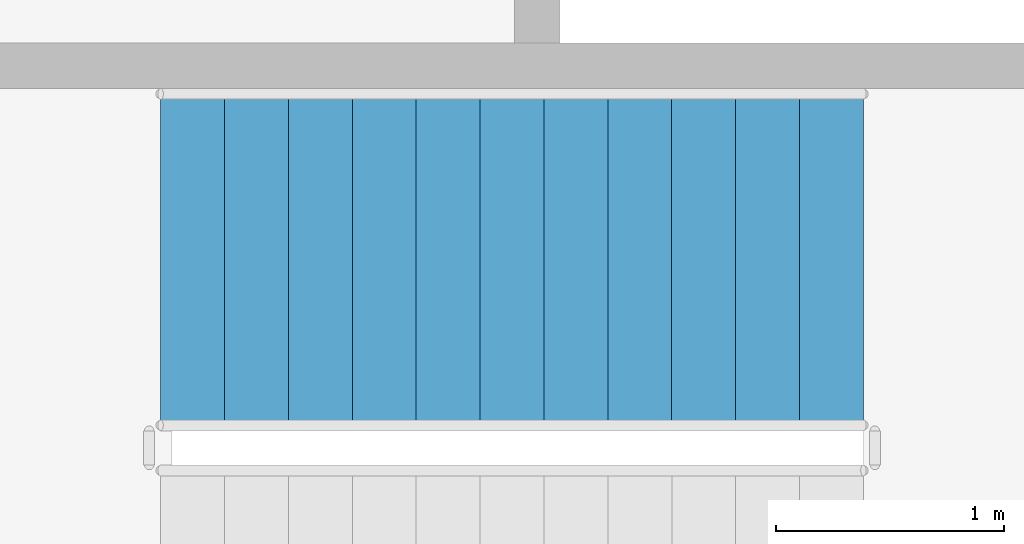
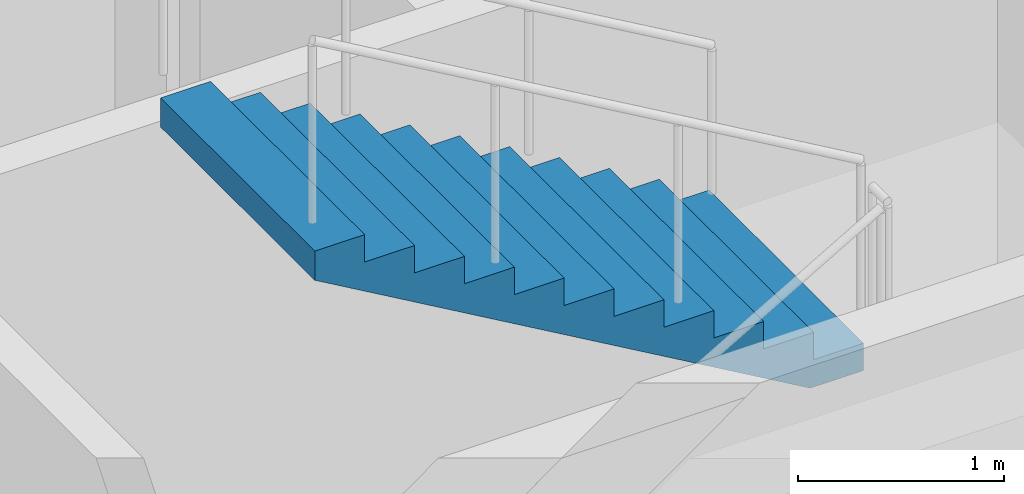
# One storey, part 38 of 42: 1 stair flight, 1 element without a shape of its own.
"""IFC4 building model written with IfcOpenShell, lengths in metres."""

import ifcopenshell
import ifcopenshell.guid

model = None  # the IFC model being written
_history = None  # IfcOwnerHistory: only IFC2X3 demands one
_inside = {}  # id of a spatial element -> (the spatial element, [elements in it])
_under = {}  # id of a project, library or spatial element -> (it, [spatial elements below it])
_declared = {}  # id of a project -> (the project, [libraries it declares])
_typed = {}  # id of a type object -> (the type object, [elements of that type])
_made_of = {}  # id of a material, layer set ... -> (it, [elements and type objects made of it])


def new_model(schema):
    """Start an empty IFC model of exactly this schema.

    Asked for "IFC4X3", IfcOpenShell would pick the latest addendum, in which some entities
    have other attributes; the version numbers below select the first issue.
    IFC2X3 requires an IfcOwnerHistory on every rooted entity: one is made here for all.
    """
    global model, _history
    if schema == "IFC4X3":
        model = ifcopenshell.file(schema_version=(4, 3, 0, 0))
    else:
        model = ifcopenshell.file(schema=schema)
    _inside.clear()
    _under.clear()
    _declared.clear()
    _typed.clear()
    _made_of.clear()
    _history = None
    if model.schema == "IFC2X3":
        org = make("IfcOrganization", Name="unknown")
        user = make(
            "IfcPersonAndOrganization",
            ThePerson=make("IfcPerson", FamilyName="unknown"),
            TheOrganization=org,
        )
        app = make(
            "IfcApplication",
            ApplicationDeveloper=org,
            Version="unknown",
            ApplicationFullName="unknown",
            ApplicationIdentifier="unknown",
        )
        _history = make(
            "IfcOwnerHistory",
            OwningUser=user,
            OwningApplication=app,
            ChangeAction="ADDED",
            CreationDate=0,
        )
    return model


def make(cls, **values):
    """One entity of the class cls with the attributes given. An attribute that is None is left unset."""
    return model.create_entity(
        cls, **{name: value for name, value in values.items() if value is not None}
    )


def rooted(cls, **values):
    """An entity with a GlobalId (a new one), such as an element, a storey or a relation."""
    return make(cls, GlobalId=ifcopenshell.guid.new(), OwnerHistory=_history, **values)


def si_unit(unit_type, name, prefix=None):
    """IfcSIUnit, for example si_unit("LENGTHUNIT", "METRE", prefix="MILLI")."""
    return make("IfcSIUnit", UnitType=unit_type, Prefix=prefix, Name=name)


def assignment(units):
    """IfcUnitAssignment: the units of a project."""
    return None if units is None else make("IfcUnitAssignment", Units=units)


def point(xyz):
    """IfcCartesianPoint."""
    return None if xyz is None else make("IfcCartesianPoint", Coordinates=xyz)


def direction(xyz):
    """IfcDirection."""
    return None if xyz is None else make("IfcDirection", DirectionRatios=xyz)


def frame(location, z_axis=None, x_axis=None):
    """IfcAxis2Placement3D, a coordinate frame: its origin and axes. An axis left out is left unset."""
    return make(
        "IfcAxis2Placement3D",
        Location=point(location),
        Axis=direction(z_axis),
        RefDirection=direction(x_axis),
    )


def origin():
    """The frame at (0, 0, 0) with its axes left unset."""
    return frame((0.0, 0.0, 0.0))


def place(relative_to, where):
    """IfcLocalPlacement: puts the frame where relative to a parent placement (None: the world)."""
    return make(
        "IfcLocalPlacement", PlacementRelTo=relative_to, RelativePlacement=where
    )


def context(
    kind, dimensions, precision=None, world=None, true_north=None, identifier=None
):
    """IfcGeometricRepresentationContext, for example the 3D "Model" context."""
    return make(
        "IfcGeometricRepresentationContext",
        ContextIdentifier=identifier,
        ContextType=kind,
        CoordinateSpaceDimension=dimensions,
        Precision=precision,
        WorldCoordinateSystem=world,
        TrueNorth=true_north,
    )


def subcontext(parent, identifier, kind, view, scale=None):
    """IfcGeometricRepresentationSubContext, for example "Body" below "Model"."""
    return make(
        "IfcGeometricRepresentationSubContext",
        ContextIdentifier=identifier,
        ContextType=kind,
        ParentContext=parent,
        TargetScale=scale,
        TargetView=view,
    )


def project(units=None, contexts=None):
    """IfcProject with its units and contexts."""
    return rooted(
        "IfcProject",
        Name="project",
        RepresentationContexts=contexts,
        UnitsInContext=assignment(units),
    )


def spatial(cls, under=None, at=None, **own):
    """A site, building, storey or space (cls), placed at a placement, below another one or the project."""
    s = rooted(cls, ObjectPlacement=at, **own)
    if under is not None:
        _under.setdefault(under.id(), (under, []))[1].append(s)
    return s


def point_list(points):
    """IfcCartesianPointList2D or 3D."""
    cls = (
        "IfcCartesianPointList2D" if len(points[0]) == 2 else "IfcCartesianPointList3D"
    )
    return make(cls, CoordList=points)


def triangles(points, corners, closed=None, point_numbers=None):
    """IfcTriangulatedFaceSet: each triangle names its three corners, points numbered from 1."""
    return make(
        "IfcTriangulatedFaceSet",
        Coordinates=point_list(points),
        Closed=closed,
        CoordIndex=corners,
        PnIndex=point_numbers,
    )


def shape(context_of_items, identifier, shape_type, items):
    """IfcShapeRepresentation: the items that make up one representation, for example the "Body"."""
    return make(
        "IfcShapeRepresentation",
        ContextOfItems=context_of_items,
        RepresentationIdentifier=identifier,
        RepresentationType=shape_type,
        Items=items,
    )


def material(Name=None, Category=None):
    """IfcMaterial."""
    return make("IfcMaterial", Name=Name, Category=Category)


def made_of(thing, what):
    """Note that an element or type object is made of a material, layer set ...; save() writes the relation."""
    if what is not None:
        _made_of.setdefault(what.id(), (what, []))[1].append(thing)
    return thing


def type_object(cls, material=None, **own):
    """A type object (cls), such as IfcWallType, which elements share."""
    return made_of(rooted(cls, **own), material)


def element(
    cls,
    number,
    at=None,
    inside=None,
    cuts=None,
    type_object=None,
    material=None,
    context=None,
    identifier="Body",
    shape_type=None,
    held_by="IfcProductDefinitionShape",
    body=None,
    shapes=None,
    **own,
):
    """One element of the class cls, such as IfcWall. Its Tag is "e" and its number.

    at: its placement. inside: the storey or other place that contains it. cuts: it is an
    opening in that element (IfcRelVoidsElement). A single representation is given by context,
    identifier, shape_type and body (its items); several are given by shapes. held_by: the class
    of the entity that holds the representations. save() writes the other relations.
    """
    e = rooted(cls, Tag="e%d" % number, ObjectPlacement=at, **own)
    if body is not None:
        shapes = [shape(context, identifier, shape_type, body)]
    if shapes is not None:
        e.Representation = make(held_by, Representations=shapes)
    if inside is not None:
        _inside.setdefault(inside.id(), (inside, []))[1].append(e)
    if cuts is not None:
        rooted(
            "IfcRelVoidsElement", RelatingBuildingElement=cuts, RelatedOpeningElement=e
        )
    if type_object is not None:
        _typed.setdefault(type_object.id(), (type_object, []))[1].append(e)
    return made_of(e, material)


def aggregate(whole, parts):
    """IfcRelAggregates: a whole, such as a stair, and the parts it consists of."""
    return rooted("IfcRelAggregates", RelatingObject=whole, RelatedObjects=parts)


def save(model, path):
    """Write the relations noted so far, then the file.

    IfcRelAggregates (storeys below a building ...), IfcRelContainedInSpatialStructure (elements
    in a storey), IfcRelDefinesByType, IfcRelAssociatesMaterial and IfcRelDeclares: one each for
    every whole, place, type object, material and project.
    """
    for whole, parts in _under.values():
        aggregate(whole, parts)
    for where, things in _inside.values():
        rooted(
            "IfcRelContainedInSpatialStructure",
            RelatedElements=things,
            RelatingStructure=where,
        )
    for kind, things in _typed.values():
        rooted("IfcRelDefinesByType", RelatedObjects=things, RelatingType=kind)
    for what, things in _made_of.values():
        rooted("IfcRelAssociatesMaterial", RelatedObjects=things, RelatingMaterial=what)
    for by, libraries in _declared.values():
        rooted("IfcRelDeclares", RelatingContext=by, RelatedDefinitions=libraries)
    model.write(path)


model = new_model("IFC4")

# Units and contexts
model_context = context("Model", 3, precision=1e-05, world=origin(), true_north=direction((0.0, 1.0)))
body_context = subcontext(model_context, "Body", "Model", "MODEL_VIEW")
ifc_project = project(units=[si_unit("LENGTHUNIT", "METRE"), si_unit("AREAUNIT", "SQUARE_METRE"), si_unit("VOLUMEUNIT", "CUBIC_METRE"), si_unit("PLANEANGLEUNIT", "RADIAN"), si_unit("MASSUNIT", "GRAM", prefix="KILO")], contexts=[model_context])

# Site, building, storey
site_placement = place(None, origin())
site = spatial("IfcSite", under=ifc_project, at=site_placement, CompositionType="ELEMENT")
building_placement = place(site_placement, origin())
building = spatial("IfcBuilding", under=site, at=building_placement, Name="Magnolia Steps Interchange", CompositionType="ELEMENT")
storey_placement = place(building_placement, frame((0.0, 0.0, 12.60009765625)))
storey = spatial("IfcBuildingStorey", under=building, at=storey_placement, Name="L03", CompositionType="ELEMENT", Elevation=12.60009765625)

# Stair, stair flight
ifc_material_1 = material(Name="Concrete C40", Category="concrete")
stair_type = type_object("IfcStairType", Name="Exit stair 1500", PredefinedType="HALF_TURN_STAIR", material=ifc_material_1)
stair_placement = place(storey_placement, origin())
stair = element("IfcStair", 1, at=stair_placement, inside=storey, type_object=stair_type, Name="L03 Stair 29", PredefinedType="HALF_TURN_STAIR")
ifc_material_2 = material(Name="Concrete C40", Category="concrete")
stair_flight_type = type_object("IfcStairFlightType", Name="Exit stair flight", PredefinedType="STRAIGHT", material=ifc_material_2)
stair_flight_placement = place(storey_placement, frame((115.929931640625, 99.25, 1.949951171875), z_axis=(0.0, 0.0, 1.0), x_axis=(-1.0, 0.0, 0.0)))
stair_flight = element("IfcStairFlight", 2, at=stair_flight_placement, type_object=stair_flight_type, Name="Stair 29 flight 2", NumberOfRisers=12, NumberOfTreads=11, PredefinedType="STRAIGHT", RiserHeight=0.1625, TreadLength=0.28, context=body_context, shape_type="Tessellation", body=[
    triangles([(0.0, -0.75, 0.0), (0.298583984375, -0.75, 0.0), (3.080078125, -0.75, 1.6142578125), (3.080078125, -0.75, 1.78759765625), (2.800048828125, -0.75, 1.78759765625), (2.800048828125, -0.75, 1.625), (2.52001953125, -0.75, 1.625), (2.52001953125, -0.75, 1.46240234375), (2.239990234375, -0.75, 1.46240234375), (2.239990234375, -0.75, 1.300048828125), (1.9599609375, -0.75, 1.300048828125), (1.9599609375, -0.75, 1.137451171875), (1.679931640625, -0.75, 1.137451171875), (1.679931640625, -0.75, 0.97509765625), (1.39990234375, -0.75, 0.97509765625), (1.39990234375, -0.75, 0.8125), (1.1201171875, -0.75, 0.8125), (1.1201171875, -0.75, 0.64990234375), (0.840087890625, -0.75, 0.64990234375), (0.840087890625, -0.75, 0.487548828125), (0.56005859375, -0.75, 0.487548828125), (0.56005859375, -0.75, 0.324951171875), (0.280029296875, -0.75, 0.324951171875), (0.280029296875, -0.75, 0.16259765625), (0.0, -0.75, 0.16259765625), (0.0, 0.75, 0.0), (0.298583984375, 0.75, 0.0), (3.080078125, 0.75, 1.6142578125), (3.080078125, 0.75, 1.78759765625), (2.800048828125, 0.75, 1.78759765625), (2.800048828125, 0.75, 1.625), (2.52001953125, 0.75, 1.625), (2.52001953125, 0.75, 1.46240234375), (2.239990234375, 0.75, 1.46240234375), (2.239990234375, 0.75, 1.300048828125), (1.9599609375, 0.75, 1.300048828125), (1.9599609375, 0.75, 1.137451171875), (1.679931640625, 0.75, 1.137451171875), (1.679931640625, 0.75, 0.97509765625), (1.39990234375, 0.75, 0.97509765625), (1.39990234375, 0.75, 0.8125), (1.1201171875, 0.75, 0.8125), (1.1201171875, 0.75, 0.64990234375), (0.840087890625, 0.75, 0.64990234375), (0.840087890625, 0.75, 0.487548828125), (0.56005859375, 0.75, 0.487548828125), (0.56005859375, 0.75, 0.324951171875), (0.280029296875, 0.75, 0.324951171875), (0.280029296875, 0.75, 0.16259765625), (0.0, 0.75, 0.16259765625), (0.0, 0.0, 0.0), (0.0, 0.0, 0.0406494140625), (0.0, 0.0, 0.081298828125), (0.0, 0.0, 0.1219482421875), (0.0, 0.0, 0.16259765625), (0.0, -0.05, 0.0), (0.0, -0.05, 0.16259765625), (0.0, 0.05, 0.0), (0.0, 0.05, 0.16259765625), (0.046671549479166664, 0.0, 0.16259765625), (0.09334309895833333, 0.0, 0.16259765625), (0.1400146484375, 0.0, 0.16259765625), (0.18668619791666666, 0.0, 0.16259765625), (0.23335774739583334, 0.0, 0.16259765625), (0.280029296875, 0.0, 0.16259765625), (0.280029296875, -0.05, 0.16259765625), (0.280029296875, 0.05, 0.16259765625), (0.280029296875, 0.0, 0.20318603515625), (0.280029296875, 0.0, 0.2437744140625), (0.280029296875, 0.0, 0.28436279296875), (0.280029296875, 0.0, 0.324951171875), (0.280029296875, -0.05, 0.324951171875), (0.280029296875, 0.05, 0.324951171875), (0.3267008463541667, 0.0, 0.324951171875), (0.3733723958333333, 0.0, 0.324951171875), (0.4200439453125, 0.0, 0.324951171875), (0.46671549479166663, 0.0, 0.324951171875), (0.5133870442708334, 0.0, 0.324951171875), (0.56005859375, 0.0, 0.324951171875), (0.56005859375, -0.05, 0.324951171875), (0.56005859375, 0.05, 0.324951171875), (0.56005859375, 0.0, 0.3656005859375), (0.56005859375, 0.0, 0.40625), (0.56005859375, 0.0, 0.4468994140625), (0.56005859375, 0.0, 0.487548828125), (0.56005859375, -0.05, 0.487548828125), (0.56005859375, 0.05, 0.487548828125), (0.6067301432291666, 0.0, 0.487548828125), (0.6534016927083334, 0.0, 0.487548828125), (0.7000732421875, 0.0, 0.487548828125), (0.7467447916666666, 0.0, 0.487548828125), (0.7934163411458334, 0.0, 0.487548828125), (0.840087890625, 0.0, 0.487548828125), (0.840087890625, -0.05, 0.487548828125), (0.840087890625, 0.05, 0.487548828125), (0.840087890625, 0.0, 0.52813720703125), (0.840087890625, 0.0, 0.5687255859375), (0.840087890625, 0.0, 0.60931396484375), (0.840087890625, 0.0, 0.64990234375), (0.840087890625, -0.05, 0.64990234375), (0.840087890625, 0.05, 0.64990234375), (0.8867594401041666, 0.0, 0.64990234375), (0.9334309895833334, 0.0, 0.64990234375), (0.9801025390625, 0.0, 0.64990234375), (1.0267740885416667, 0.0, 0.64990234375), (1.0734456380208333, 0.0, 0.64990234375), (1.1201171875, 0.0, 0.64990234375), (1.1201171875, -0.05, 0.64990234375), (1.1201171875, 0.05, 0.64990234375), (1.1201171875, 0.0, 0.6905517578125), (1.1201171875, 0.0, 0.731201171875), (1.1201171875, 0.0, 0.7718505859375), (1.1201171875, 0.0, 0.8125), (1.1201171875, -0.05, 0.8125), (1.1201171875, 0.05, 0.8125), (1.1900634765625, 0.0, 0.8125), (1.260009765625, 0.0, 0.8125), (1.3299560546875, 0.0, 0.8125), (1.39990234375, 0.0, 0.8125), (1.39990234375, -0.05, 0.8125), (1.39990234375, 0.05, 0.8125), (1.39990234375, 0.0, 0.8531494140625), (1.39990234375, 0.0, 0.893798828125), (1.39990234375, 0.0, 0.9344482421875), (1.39990234375, 0.0, 0.97509765625), (1.39990234375, -0.05, 0.97509765625), (1.39990234375, 0.05, 0.97509765625), (1.4465738932291667, 0.0, 0.97509765625), (1.4932454427083333, 0.0, 0.97509765625), (1.5399169921875, 0.0, 0.97509765625), (1.5865885416666667, 0.0, 0.97509765625), (1.6332600911458333, 0.0, 0.97509765625), (1.679931640625, 0.0, 0.97509765625), (1.679931640625, -0.05, 0.97509765625), (1.679931640625, 0.05, 0.97509765625), (1.679931640625, 0.0, 1.01568603515625), (1.679931640625, 0.0, 1.0562744140625), (1.679931640625, 0.0, 1.09686279296875), (1.679931640625, 0.0, 1.137451171875), (1.679931640625, -0.05, 1.137451171875), (1.679931640625, 0.05, 1.137451171875), (1.7266031901041667, 0.0, 1.137451171875), (1.7732747395833333, 0.0, 1.137451171875), (1.8199462890625, 0.0, 1.137451171875), (1.8666178385416667, 0.0, 1.137451171875), (1.9132893880208333, 0.0, 1.137451171875), (1.9599609375, 0.0, 1.137451171875), (1.9599609375, -0.05, 1.137451171875), (1.9599609375, 0.05, 1.137451171875), (1.9599609375, 0.0, 1.1781005859375), (1.9599609375, 0.0, 1.21875), (1.9599609375, 0.0, 1.2593994140625), (1.9599609375, 0.0, 1.300048828125), (1.9599609375, -0.05, 1.300048828125), (1.9599609375, 0.05, 1.300048828125), (2.0066324869791665, 0.0, 1.300048828125), (2.0533040364583335, 0.0, 1.300048828125), (2.0999755859375, 0.0, 1.300048828125), (2.1466471354166665, 0.0, 1.300048828125), (2.1933186848958335, 0.0, 1.300048828125), (2.239990234375, 0.0, 1.300048828125), (2.239990234375, -0.05, 1.300048828125), (2.239990234375, 0.05, 1.300048828125), (2.239990234375, 0.0, 1.34063720703125), (2.239990234375, 0.0, 1.3812255859375), (2.239990234375, 0.0, 1.42181396484375), (2.239990234375, 0.0, 1.46240234375), (2.239990234375, -0.05, 1.46240234375), (2.239990234375, 0.05, 1.46240234375), (2.2866617838541665, 0.0, 1.46240234375), (2.3333333333333335, 0.0, 1.46240234375), (2.3800048828125, 0.0, 1.46240234375), (2.4266764322916665, 0.0, 1.46240234375), (2.4733479817708335, 0.0, 1.46240234375), (2.52001953125, 0.0, 1.46240234375), (2.52001953125, -0.05, 1.46240234375), (2.52001953125, 0.05, 1.46240234375), (2.52001953125, 0.0, 1.5030517578125), (2.52001953125, 0.0, 1.543701171875), (2.52001953125, 0.0, 1.5843505859375), (2.52001953125, 0.0, 1.625), (2.52001953125, -0.05, 1.625), (2.52001953125, 0.05, 1.625), (2.5666910807291665, 0.0, 1.625), (2.6133626302083335, 0.0, 1.625), (2.6600341796875, 0.0, 1.625), (2.7067057291666665, 0.0, 1.625), (2.7533772786458335, 0.0, 1.625), (2.800048828125, 0.0, 1.625), (2.800048828125, -0.05, 1.625), (2.800048828125, 0.05, 1.625), (2.800048828125, 0.0, 1.6656494140625), (2.800048828125, 0.0, 1.706298828125), (2.800048828125, 0.0, 1.7469482421875), (2.800048828125, 0.0, 1.78759765625), (2.800048828125, -0.05, 1.78759765625), (2.800048828125, 0.05, 1.78759765625), (2.8467203776041665, 0.0, 1.78759765625), (2.8933919270833335, 0.0, 1.78759765625), (2.9400634765625, 0.0, 1.78759765625), (2.9867350260416665, 0.0, 1.78759765625), (3.0334065755208335, 0.0, 1.78759765625), (3.080078125, 0.0, 1.78759765625), (3.080078125, -0.05, 1.78759765625), (3.080078125, 0.05, 1.78759765625), (3.080078125, 0.0, 1.7442626953125), (3.080078125, 0.0, 1.700927734375), (3.080078125, 0.0, 1.6575927734375), (3.080078125, 0.0, 1.6142578125), (3.080078125, -0.05, 1.6142578125), (3.080078125, 0.05, 1.6142578125), (3.0196108610733696, 0.0, 1.5791652513586956), (2.9591435971467392, 0.0, 1.5440726902173914), (2.898676333220109, 0.0, 1.508980129076087), (2.8382090692934785, 0.0, 1.4738875679347827), (2.7777418053668477, 0.0, 1.4387950067934783), (2.7172745414402173, 0.0, 1.4037024456521738), (2.656807277513587, 0.0, 1.3686098845108696), (2.5963400135869565, 0.0, 1.3335173233695652), (2.535872749660326, 0.0, 1.2984247622282608), (2.475405485733696, 0.0, 1.2633322010869565), (2.4149382218070654, 0.0, 1.228239639945652), (2.3544709578804346, 0.0, 1.193147078804348), (2.294003693953804, 0.0, 1.1580545176630435), (2.233536430027174, 0.0, 1.1229619565217392), (2.1730691661005435, 0.0, 1.0878693953804348), (2.112601902173913, 0.0, 1.0527768342391304), (2.0521346382472827, 0.0, 1.0176842730978262), (1.991667374320652, 0.0, 0.9825917119565217), (1.9312001103940217, 0.0, 0.9474991508152174), (1.8707328464673914, 0.0, 0.9124065896739131), (1.810265582540761, 0.0, 0.8773140285326086), (1.7497983186141304, 0.0, 0.8422214673913043), (1.6893310546875, 0.0, 0.80712890625), (1.6288637907608696, 0.0, 0.7720363451086957), (1.568396526834239, 0.0, 0.7369437839673914), (1.5079292629076086, 0.0, 0.7018512228260869), (1.4474619989809783, 0.0, 0.6667586616847826), (1.386994735054348, 0.0, 0.6316661005434783), (1.3265274711277173, 0.0, 0.5965735394021738), (1.266060207201087, 0.0, 0.5614809782608696), (1.2055929432744565, 0.0, 0.5263884171195652), (1.1451256793478262, 0.0, 0.491295855978261), (1.0846584154211956, 0.0, 0.45620329483695654), (1.0241911514945654, 0.0, 0.4211107336956521), (0.9637238875679346, 0.0, 0.3860181725543479), (0.9032566236413042, 0.0, 0.35092561141304346), (0.8427893597146738, 0.0, 0.315833050271739), (0.7823220957880435, 0.0, 0.2807404891304348), (0.7218548318614131, 0.0, 0.24564792798913038), (0.6613875679347827, 0.0, 0.21055536684782616), (0.6009203040081523, 0.0, 0.17546280570652173), (0.540453040081522, 0.0, 0.1403702445652173), (0.47998577615489113, 0.0, 0.10527768342391308), (0.41951851222826075, 0.0, 0.07018512228260865), (0.3590512483016304, 0.0, 0.035092561141304435), (0.298583984375, 0.0, 0.0), (0.298583984375, -0.05, 0.0), (0.298583984375, 0.05, 0.0), (0.24881998697916666, 0.0, 0.0), (0.19905598958333331, 0.0, 0.0), (0.1492919921875, 0.0, 0.0), (0.09952799479166666, 0.0, 0.0), (0.04976399739583334, 0.0, 0.0)], [[1, 2, 3], [3, 4, 5], [3, 5, 6], [3, 6, 7], [3, 7, 8], [8, 9, 10], [3, 8, 10], [10, 11, 12], [3, 10, 12], [12, 13, 14], [3, 12, 14], [14, 15, 16], [3, 14, 16], [16, 17, 18], [3, 16, 18], [18, 19, 20], [3, 18, 20], [20, 21, 22], [3, 20, 22], [1, 3, 22], [22, 23, 24], [1, 22, 24], [24, 25, 1], [26, 28, 27], [28, 30, 29], [28, 31, 30], [28, 32, 31], [28, 33, 32], [33, 35, 34], [28, 35, 33], [35, 37, 36], [28, 37, 35], [37, 39, 38], [28, 39, 37], [39, 41, 40], [28, 41, 39], [41, 43, 42], [28, 43, 41], [43, 45, 44], [28, 45, 43], [45, 47, 46], [28, 47, 45], [26, 47, 28], [47, 49, 48], [26, 49, 47], [49, 26, 50], [1, 25, 57], [1, 57, 56], [56, 52, 51], [56, 53, 52], [56, 57, 53], [57, 54, 53], [57, 55, 54], [26, 59, 50], [26, 58, 59], [58, 51, 52], [58, 52, 53], [58, 53, 59], [59, 53, 54], [59, 54, 55], [25, 24, 66], [25, 66, 57], [57, 60, 55], [57, 61, 60], [57, 62, 61], [57, 66, 62], [66, 63, 62], [66, 64, 63], [66, 65, 64], [50, 67, 49], [50, 59, 67], [59, 55, 60], [59, 60, 61], [59, 61, 62], [59, 62, 67], [67, 62, 63], [67, 63, 64], [67, 64, 65], [24, 23, 72], [24, 72, 66], [66, 68, 65], [66, 69, 68], [66, 72, 69], [72, 70, 69], [72, 71, 70], [49, 73, 48], [49, 67, 73], [67, 65, 68], [67, 68, 69], [67, 69, 73], [73, 69, 70], [73, 70, 71], [23, 22, 80], [23, 80, 72], [72, 74, 71], [72, 75, 74], [72, 76, 75], [72, 80, 76], [80, 77, 76], [80, 78, 77], [80, 79, 78], [48, 81, 47], [48, 73, 81], [73, 71, 74], [73, 74, 75], [73, 75, 76], [73, 76, 81], [81, 76, 77], [81, 77, 78], [81, 78, 79], [22, 21, 86], [22, 86, 80], [80, 82, 79], [80, 83, 82], [80, 86, 83], [86, 84, 83], [86, 85, 84], [47, 87, 46], [47, 81, 87], [81, 79, 82], [81, 82, 83], [81, 83, 87], [87, 83, 84], [87, 84, 85], [21, 20, 94], [21, 94, 86], [86, 88, 85], [86, 89, 88], [86, 90, 89], [86, 94, 90], [94, 91, 90], [94, 92, 91], [94, 93, 92], [46, 95, 45], [46, 87, 95], [87, 85, 88], [87, 88, 89], [87, 89, 90], [87, 90, 95], [95, 90, 91], [95, 91, 92], [95, 92, 93], [20, 19, 100], [20, 100, 94], [94, 96, 93], [94, 97, 96], [94, 100, 97], [100, 98, 97], [100, 99, 98], [45, 101, 44], [45, 95, 101], [95, 93, 96], [95, 96, 97], [95, 97, 101], [101, 97, 98], [101, 98, 99], [19, 18, 108], [19, 108, 100], [100, 102, 99], [100, 103, 102], [100, 104, 103], [100, 108, 104], [108, 105, 104], [108, 106, 105], [108, 107, 106], [44, 109, 43], [44, 101, 109], [101, 99, 102], [101, 102, 103], [101, 103, 104], [101, 104, 109], [109, 104, 105], [109, 105, 106], [109, 106, 107], [18, 17, 114], [18, 114, 108], [108, 110, 107], [108, 111, 110], [108, 114, 111], [114, 112, 111], [114, 113, 112], [43, 115, 42], [43, 109, 115], [109, 107, 110], [109, 110, 111], [109, 111, 115], [115, 111, 112], [115, 112, 113], [17, 16, 120], [17, 120, 114], [114, 116, 113], [114, 117, 116], [114, 120, 117], [120, 118, 117], [120, 119, 118], [42, 121, 41], [42, 115, 121], [115, 113, 116], [115, 116, 117], [115, 117, 121], [121, 117, 118], [121, 118, 119], [16, 15, 126], [16, 126, 120], [120, 122, 119], [120, 123, 122], [120, 126, 123], [126, 124, 123], [126, 125, 124], [41, 127, 40], [41, 121, 127], [121, 119, 122], [121, 122, 123], [121, 123, 127], [127, 123, 124], [127, 124, 125], [15, 14, 134], [15, 134, 126], [126, 128, 125], [126, 129, 128], [126, 130, 129], [126, 134, 130], [134, 131, 130], [134, 132, 131], [134, 133, 132], [40, 135, 39], [40, 127, 135], [127, 125, 128], [127, 128, 129], [127, 129, 130], [127, 130, 135], [135, 130, 131], [135, 131, 132], [135, 132, 133], [14, 13, 140], [14, 140, 134], [134, 136, 133], [134, 137, 136], [134, 140, 137], [140, 138, 137], [140, 139, 138], [39, 141, 38], [39, 135, 141], [135, 133, 136], [135, 136, 137], [135, 137, 141], [141, 137, 138], [141, 138, 139], [13, 12, 148], [13, 148, 140], [140, 142, 139], [140, 143, 142], [140, 144, 143], [140, 148, 144], [148, 145, 144], [148, 146, 145], [148, 147, 146], [38, 149, 37], [38, 141, 149], [141, 139, 142], [141, 142, 143], [141, 143, 144], [141, 144, 149], [149, 144, 145], [149, 145, 146], [149, 146, 147], [12, 11, 154], [12, 154, 148], [148, 150, 147], [148, 151, 150], [148, 154, 151], [154, 152, 151], [154, 153, 152], [37, 155, 36], [37, 149, 155], [149, 147, 150], [149, 150, 151], [149, 151, 155], [155, 151, 152], [155, 152, 153], [11, 10, 162], [11, 162, 154], [154, 156, 153], [154, 157, 156], [154, 158, 157], [154, 162, 158], [162, 159, 158], [162, 160, 159], [162, 161, 160], [36, 163, 35], [36, 155, 163], [155, 153, 156], [155, 156, 157], [155, 157, 158], [155, 158, 163], [163, 158, 159], [163, 159, 160], [163, 160, 161], [10, 9, 168], [10, 168, 162], [162, 164, 161], [162, 165, 164], [162, 168, 165], [168, 166, 165], [168, 167, 166], [35, 169, 34], [35, 163, 169], [163, 161, 164], [163, 164, 165], [163, 165, 169], [169, 165, 166], [169, 166, 167], [9, 8, 176], [9, 176, 168], [168, 170, 167], [168, 171, 170], [168, 172, 171], [168, 176, 172], [176, 173, 172], [176, 174, 173], [176, 175, 174], [34, 177, 33], [34, 169, 177], [169, 167, 170], [169, 170, 171], [169, 171, 172], [169, 172, 177], [177, 172, 173], [177, 173, 174], [177, 174, 175], [8, 7, 182], [8, 182, 176], [176, 178, 175], [176, 179, 178], [176, 182, 179], [182, 180, 179], [182, 181, 180], [33, 183, 32], [33, 177, 183], [177, 175, 178], [177, 178, 179], [177, 179, 183], [183, 179, 180], [183, 180, 181], [7, 6, 190], [7, 190, 182], [182, 184, 181], [182, 185, 184], [182, 186, 185], [182, 190, 186], [190, 187, 186], [190, 188, 187], [190, 189, 188], [32, 191, 31], [32, 183, 191], [183, 181, 184], [183, 184, 185], [183, 185, 186], [183, 186, 191], [191, 186, 187], [191, 187, 188], [191, 188, 189], [6, 5, 196], [6, 196, 190], [190, 192, 189], [190, 193, 192], [190, 196, 193], [196, 194, 193], [196, 195, 194], [31, 197, 30], [31, 191, 197], [191, 189, 192], [191, 192, 193], [191, 193, 197], [197, 193, 194], [197, 194, 195], [5, 4, 204], [5, 204, 196], [196, 198, 195], [196, 199, 198], [196, 200, 199], [196, 204, 200], [204, 201, 200], [204, 202, 201], [204, 203, 202], [30, 205, 29], [30, 197, 205], [197, 195, 198], [197, 198, 199], [197, 199, 200], [197, 200, 205], [205, 200, 201], [205, 201, 202], [205, 202, 203], [4, 3, 210], [4, 210, 204], [204, 206, 203], [204, 207, 206], [204, 210, 207], [210, 208, 207], [210, 209, 208], [29, 211, 28], [29, 205, 211], [205, 203, 206], [205, 206, 207], [205, 207, 211], [211, 207, 208], [211, 208, 209], [3, 2, 258], [3, 258, 210], [210, 212, 209], [210, 213, 212], [210, 214, 213], [210, 215, 214], [210, 216, 215], [210, 217, 216], [210, 218, 217], [210, 219, 218], [210, 220, 219], [210, 221, 220], [210, 222, 221], [210, 223, 222], [210, 224, 223], [210, 225, 224], [210, 226, 225], [210, 227, 226], [210, 228, 227], [210, 229, 228], [210, 230, 229], [210, 231, 230], [210, 232, 231], [210, 233, 232], [210, 234, 233], [210, 258, 234], [258, 235, 234], [258, 236, 235], [258, 237, 236], [258, 238, 237], [258, 239, 238], [258, 240, 239], [258, 241, 240], [258, 242, 241], [258, 243, 242], [258, 244, 243], [258, 245, 244], [258, 246, 245], [258, 247, 246], [258, 248, 247], [258, 249, 248], [258, 250, 249], [258, 251, 250], [258, 252, 251], [258, 253, 252], [258, 254, 253], [258, 255, 254], [258, 256, 255], [258, 257, 256], [28, 259, 27], [28, 211, 259], [211, 209, 212], [211, 212, 213], [211, 213, 214], [211, 214, 215], [211, 215, 216], [211, 216, 217], [211, 217, 218], [211, 218, 219], [211, 219, 220], [211, 220, 221], [211, 221, 222], [211, 222, 223], [211, 223, 224], [211, 224, 225], [211, 225, 226], [211, 226, 227], [211, 227, 228], [211, 228, 229], [211, 229, 230], [211, 230, 231], [211, 231, 232], [211, 232, 233], [211, 233, 234], [211, 234, 259], [259, 234, 235], [259, 235, 236], [259, 236, 237], [259, 237, 238], [259, 238, 239], [259, 239, 240], [259, 240, 241], [259, 241, 242], [259, 242, 243], [259, 243, 244], [259, 244, 245], [259, 245, 246], [259, 246, 247], [259, 247, 248], [259, 248, 249], [259, 249, 250], [259, 250, 251], [259, 251, 252], [259, 252, 253], [259, 253, 254], [259, 254, 255], [259, 255, 256], [259, 256, 257], [2, 1, 56], [2, 56, 258], [258, 260, 257], [258, 261, 260], [258, 262, 261], [258, 56, 262], [56, 263, 262], [56, 264, 263], [56, 51, 264], [27, 58, 26], [27, 259, 58], [259, 257, 260], [259, 260, 261], [259, 261, 262], [259, 262, 58], [58, 262, 263], [58, 263, 264], [58, 264, 51]], closed=True),
])
aggregate(stair, [stair_flight])

save(model, "model.ifc")
